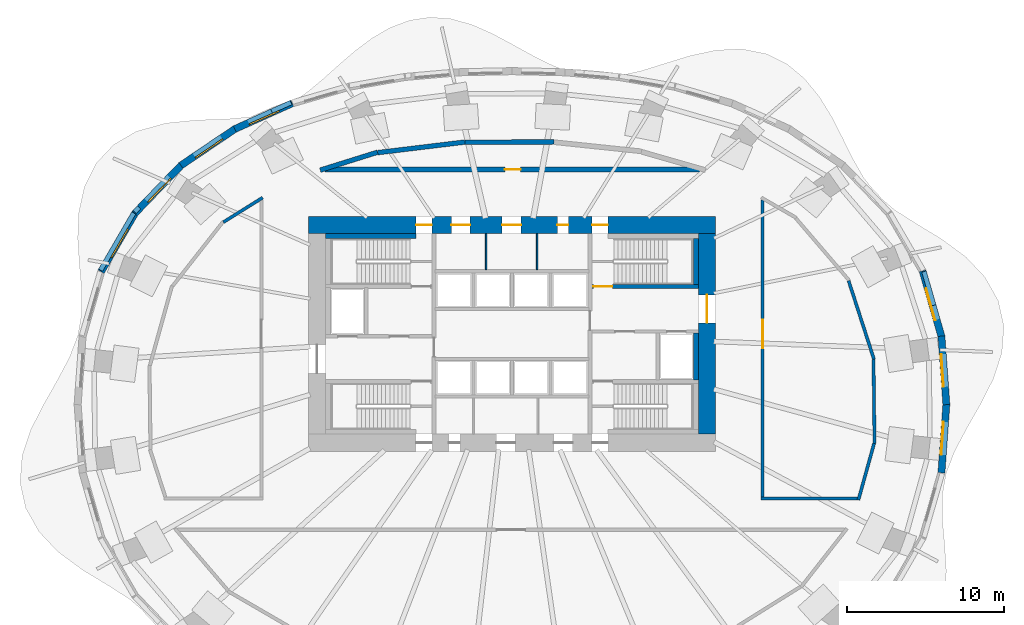
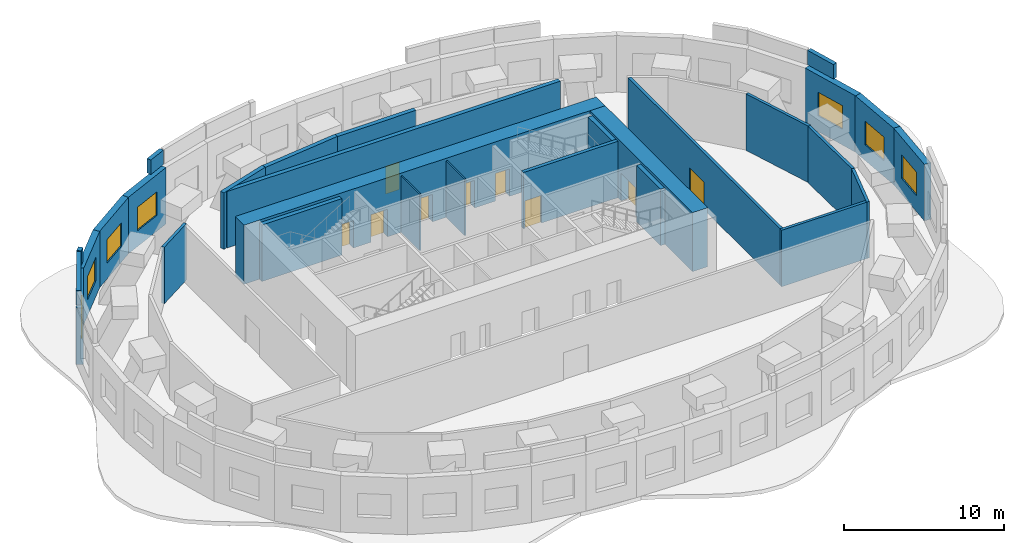
# One storey, part 6 of 9: 29 walls, 9 doors, 7 windows, 16 openings.
"""IFC4 building model written with IfcOpenShell, lengths in metres."""

from ifc_helpers import new_model, si_unit, direction, frame, frame_2d, origin, place, context, subcontext, project, spatial, rectangle, extrude, material, layer, layer_set, type_object, element, fill, save


model = new_model("IFC4")

# Units and contexts
model_context = context("Model", 3, precision=1e-05, world=origin(), true_north=direction((0.0, 1.0)))
body_context = subcontext(model_context, "Body", "Model", "MODEL_VIEW")
ifc_project = project(units=[si_unit("LENGTHUNIT", "METRE"), si_unit("AREAUNIT", "SQUARE_METRE"), si_unit("VOLUMEUNIT", "CUBIC_METRE"), si_unit("PLANEANGLEUNIT", "RADIAN"), si_unit("MASSUNIT", "GRAM", prefix="KILO")], contexts=[model_context])

# Site, building, storey
site_placement = place(None, origin())
site = spatial("IfcSite", under=ifc_project, at=site_placement, CompositionType="ELEMENT")
building_placement = place(site_placement, origin())
building = spatial("IfcBuilding", under=site, at=building_placement, Name="Rubra Terraces Tower", CompositionType="ELEMENT")
storey_placement = place(building_placement, frame((0.0, 0.0, 77.10009765625)))
storey = spatial("IfcBuildingStorey", under=building, at=storey_placement, Name="L17", CompositionType="ELEMENT", Elevation=77.10009765625)

# Wall, opening, window
ifc_material_1 = material(Name="Brick masonry red-brown", Category="masonry")
ifc_layer_1 = layer(ifc_material_1, 0.449951171875)
ifc_layer_set_1 = layer_set([ifc_layer_1], Name="Brick masonry red-brown")
wall_type_1 = type_object("IfcWallType", Name="Brick facade wall 450", PredefinedType="SOLIDWALL", material=ifc_layer_set_1)
wall_1_placement = place(storey_placement, frame((27.7255859375, -0.01611328125, 0.0), z_axis=(0.0, 0.0, 1.0), x_axis=(-0.071768934506, 0.997421285135, 0.0)))
wall_1 = element("IfcWall", 1, at=wall_1_placement, inside=storey, type_object=wall_type_1, Name="Facade wall L17 bay 1", PredefinedType="SOLIDWALL", context=body_context, shape_type="SweptSolid", body=[
    extrude(rectangle(XDim=4.38818359375, YDim=0.449951171875, at=frame_2d((2.194091796875, 0.0))), origin(), (0.0, 0.0, 1.0), 4.2998046875),
])
opening_1_placement = place(wall_1_placement, frame((1.144287109375, 0.0, 1.199951171875)))
opening_1 = element("IfcOpeningElement", 2, at=opening_1_placement, cuts=wall_1, Name="Opening W4", PredefinedType="OPENING", context=body_context, shape_type="SweptSolid", body=[
    extrude(rectangle(XDim=2.10009765625, YDim=1.800048828125, at=frame_2d((1.050048828125, 0.89990234375))), frame((0.0, 0.23486328125, 0.0), z_axis=(0.0, -1.0, 0.0), x_axis=(1.0, 0.0, 0.0)), (0.0, 0.0, 1.0), 0.469970703125),
])
ifc_material_2 = material(Name="Clear glass in aluminium frame", Category="aluminium")
window_type = type_object("IfcWindowType", Name="Louvred plant window 2100 x 1800", PartitioningType="SINGLE_PANEL", PredefinedType="WINDOW", material=ifc_material_2)
window_1_placement = place(opening_1_placement, origin())
window_1 = element("IfcWindow", 3, at=window_1_placement, inside=storey, type_object=window_type, Name="Window L17 bay 1", OverallHeight=1.800048828125, OverallWidth=2.10009765625, PartitioningType="SINGLE_PANEL", PredefinedType="WINDOW", context=body_context, shape_type="SweptSolid", body=[
    extrude(rectangle(XDim=2.10009765625, YDim=1.800048828125, at=frame_2d((1.050048828125, 0.89990234375))), frame((0.0, 0.135009765625, 0.0), z_axis=(0.0, -1.0, 0.0), x_axis=(1.0, 0.0, 0.0)), (0.0, 0.0, 1.0), 0.06005859375),
])
fill(opening_1, window_1)

wall_2_placement = place(storey_placement, frame((27.418701171875, 4.314697265625, 0.0), z_axis=(0.0, 0.0, 1.0), x_axis=(-0.276281679347, 0.961076705397, 0.0)))
wall_2 = element("IfcWall", 4, at=wall_2_placement, inside=storey, type_object=wall_type_1, Name="Facade wall L17 bay 2", PredefinedType="SOLIDWALL", context=body_context, shape_type="SweptSolid", body=[
    extrude(rectangle(XDim=4.37939453125, YDim=0.449951171875, at=frame_2d((2.189697265625, 0.0))), origin(), (0.0, 0.0, 1.0), 4.2998046875),
])
opening_2_placement = place(wall_2_placement, frame((1.1396484375, 0.0, 1.199951171875)))
opening_2 = element("IfcOpeningElement", 5, at=opening_2_placement, cuts=wall_2, Name="Opening W4", PredefinedType="OPENING", context=body_context, shape_type="SweptSolid", body=[
    extrude(rectangle(XDim=2.10009765625, YDim=1.800048828125, at=frame_2d((1.050048828125, 0.89990234375))), frame((0.0, 0.23486328125, 0.0), z_axis=(0.0, -1.0, 0.0), x_axis=(1.0, 0.0, 0.0)), (0.0, 0.0, 1.0), 0.469970703125),
])
window_2_placement = place(opening_2_placement, origin())
window_2 = element("IfcWindow", 6, at=window_2_placement, inside=storey, type_object=window_type, Name="Window L17 bay 2", OverallHeight=1.800048828125, OverallWidth=2.10009765625, PartitioningType="SINGLE_PANEL", PredefinedType="WINDOW", context=body_context, shape_type="SweptSolid", body=[
    extrude(rectangle(XDim=2.10009765625, YDim=1.800048828125, at=frame_2d((1.050048828125, 0.89990234375))), frame((0.0, 0.135009765625, 0.0), z_axis=(0.0, -1.0, 0.0), x_axis=(1.0, 0.0, 0.0)), (0.0, 0.0, 1.0), 0.06005859375),
])
fill(opening_2, window_2)

wall_3_placement = place(storey_placement, frame((-14.02392578125, 19.2236328125, 0.0), z_axis=(0.0, 0.0, 1.0), x_axis=(-0.912580432801, -0.408897240966, 0.0)))
wall_3 = element("IfcWall", 7, at=wall_3_placement, inside=storey, type_object=wall_type_1, Name="Facade wall L17 bay 15", PredefinedType="SOLIDWALL", context=body_context, shape_type="SweptSolid", body=[
    extrude(rectangle(XDim=4.020751953125, YDim=0.449951171875, at=frame_2d((2.01025390625, 0.0))), origin(), (0.0, 0.0, 1.0), 4.2998046875),
])
opening_3_placement = place(wall_3_placement, frame((0.960205078125, 0.0, 1.199951171875)))
opening_3 = element("IfcOpeningElement", 8, at=opening_3_placement, cuts=wall_3, Name="Opening W4", PredefinedType="OPENING", context=body_context, shape_type="SweptSolid", body=[
    extrude(rectangle(XDim=2.10009765625, YDim=1.800048828125, at=frame_2d((1.050048828125, 0.89990234375))), frame((0.0, 0.23486328125, 0.0), z_axis=(0.0, -1.0, 0.0), x_axis=(1.0, 0.0, 0.0)), (0.0, 0.0, 1.0), 0.469970703125),
])
window_3_placement = place(opening_3_placement, origin())
window_3 = element("IfcWindow", 9, at=window_3_placement, inside=storey, type_object=window_type, Name="Window L17 bay 15", OverallHeight=1.800048828125, OverallWidth=2.10009765625, PartitioningType="SINGLE_PANEL", PredefinedType="WINDOW", context=body_context, shape_type="SweptSolid", body=[
    extrude(rectangle(XDim=2.10009765625, YDim=1.800048828125, at=frame_2d((1.050048828125, 0.89990234375))), frame((0.0, 0.135009765625, 0.0), z_axis=(0.0, -1.0, 0.0), x_axis=(1.0, 0.0, 0.0)), (0.0, 0.0, 1.0), 0.06005859375),
])
fill(opening_3, window_3)

wall_4_placement = place(storey_placement, frame((-17.6591796875, 17.598388671875, 0.0), z_axis=(0.0, 0.0, 1.0), x_axis=(-0.829077786947, -0.559133278557, 0.0)))
wall_4 = element("IfcWall", 10, at=wall_4_placement, inside=storey, type_object=wall_type_1, Name="Facade wall L17 bay 16", PredefinedType="SOLIDWALL", context=body_context, shape_type="SweptSolid", body=[
    extrude(rectangle(XDim=4.1865234375, YDim=0.449951171875, at=frame_2d((2.09326171875, 0.0))), origin(), (0.0, 0.0, 1.0), 4.2998046875),
])
opening_4_placement = place(wall_4_placement, frame((1.043212890625, 0.0, 1.199951171875)))
opening_4 = element("IfcOpeningElement", 11, at=opening_4_placement, cuts=wall_4, Name="Opening W4", PredefinedType="OPENING", context=body_context, shape_type="SweptSolid", body=[
    extrude(rectangle(XDim=2.10009765625, YDim=1.800048828125, at=frame_2d((1.050048828125, 0.89990234375))), frame((0.0, 0.23486328125, 0.0), z_axis=(0.0, -1.0, 0.0), x_axis=(1.0, 0.0, 0.0)), (0.0, 0.0, 1.0), 0.469970703125),
])
window_4_placement = place(opening_4_placement, origin())
window_4 = element("IfcWindow", 12, at=window_4_placement, inside=storey, type_object=window_type, Name="Window L17 bay 16", OverallHeight=1.800048828125, OverallWidth=2.10009765625, PartitioningType="SINGLE_PANEL", PredefinedType="WINDOW", context=body_context, shape_type="SweptSolid", body=[
    extrude(rectangle(XDim=2.10009765625, YDim=1.800048828125, at=frame_2d((1.050048828125, 0.89990234375))), frame((0.0, 0.135009765625, 0.0), z_axis=(0.0, -1.0, 0.0), x_axis=(1.0, 0.0, 0.0)), (0.0, 0.0, 1.0), 0.06005859375),
])
fill(opening_4, window_4)

wall_5_placement = place(storey_placement, frame((-21.093994140625, 15.287841796875, 0.0), z_axis=(0.0, 0.0, 1.0), x_axis=(-0.69406513137, -0.719912212298, 0.0)))
wall_5 = element("IfcWall", 13, at=wall_5_placement, inside=storey, type_object=wall_type_1, Name="Facade wall L17 bay 17", PredefinedType="SOLIDWALL", context=body_context, shape_type="SweptSolid", body=[
    extrude(rectangle(XDim=4.2978515625, YDim=0.449951171875, at=frame_2d((2.14892578125, 0.0))), origin(), (0.0, 0.0, 1.0), 4.2998046875),
])
opening_5_placement = place(wall_5_placement, frame((1.098876953125, 0.0, 1.199951171875)))
opening_5 = element("IfcOpeningElement", 14, at=opening_5_placement, cuts=wall_5, Name="Opening W4", PredefinedType="OPENING", context=body_context, shape_type="SweptSolid", body=[
    extrude(rectangle(XDim=2.10009765625, YDim=1.800048828125, at=frame_2d((1.050048828125, 0.89990234375))), frame((0.0, 0.23486328125, 0.0), z_axis=(0.0, -1.0, 0.0), x_axis=(1.0, 0.0, 0.0)), (0.0, 0.0, 1.0), 0.469970703125),
])
window_5_placement = place(opening_5_placement, origin())
window_5 = element("IfcWindow", 15, at=window_5_placement, inside=storey, type_object=window_type, Name="Window L17 bay 17", OverallHeight=1.800048828125, OverallWidth=2.10009765625, PartitioningType="SINGLE_PANEL", PredefinedType="WINDOW", context=body_context, shape_type="SweptSolid", body=[
    extrude(rectangle(XDim=2.10009765625, YDim=1.800048828125, at=frame_2d((1.050048828125, 0.89990234375))), frame((0.0, 0.135009765625, 0.0), z_axis=(0.0, -1.0, 0.0), x_axis=(1.0, 0.0, 0.0)), (0.0, 0.0, 1.0), 0.06005859375),
])
fill(opening_5, window_5)

wall_6_placement = place(storey_placement, frame((-24.04443359375, 12.237060546875, 0.0), z_axis=(0.0, 0.0, 1.0), x_axis=(-0.502203169453, -0.864749661227, 0.0)))
wall_6 = element("IfcWall", 16, at=wall_6_placement, inside=storey, type_object=wall_type_1, Name="Facade wall L17 bay 18", PredefinedType="SOLIDWALL", context=body_context, shape_type="SweptSolid", body=[
    extrude(rectangle(XDim=4.352783203125, YDim=0.449951171875, at=frame_2d((2.17626953125, 0.0))), origin(), (0.0, 0.0, 1.0), 4.2998046875),
])
opening_6_placement = place(wall_6_placement, frame((1.12646484375, 0.0, 1.199951171875)))
opening_6 = element("IfcOpeningElement", 17, at=opening_6_placement, cuts=wall_6, Name="Opening W4", PredefinedType="OPENING", context=body_context, shape_type="SweptSolid", body=[
    extrude(rectangle(XDim=2.10009765625, YDim=1.800048828125, at=frame_2d((1.050048828125, 0.89990234375))), frame((0.0, 0.23486328125, 0.0), z_axis=(0.0, -1.0, 0.0), x_axis=(1.0, 0.0, 0.0)), (0.0, 0.0, 1.0), 0.469970703125),
])
window_6_placement = place(opening_6_placement, origin())
window_6 = element("IfcWindow", 18, at=window_6_placement, inside=storey, type_object=window_type, Name="Window L17 bay 18", OverallHeight=1.800048828125, OverallWidth=2.10009765625, PartitioningType="SINGLE_PANEL", PredefinedType="WINDOW", context=body_context, shape_type="SweptSolid", body=[
    extrude(rectangle(XDim=2.10009765625, YDim=1.800048828125, at=frame_2d((1.050048828125, 0.89990234375))), frame((0.0, 0.135009765625, 0.0), z_axis=(0.0, -1.0, 0.0), x_axis=(1.0, 0.0, 0.0)), (0.0, 0.0, 1.0), 0.06005859375),
])
fill(opening_6, window_6)

wall_7_placement = place(storey_placement, frame((27.41064453125, -4.36083984375, 0.0), z_axis=(0.0, 0.0, 1.0), x_axis=(0.071768934506, 0.997421285135, 0.0)))
wall_7 = element("IfcWall", 19, at=wall_7_placement, inside=storey, type_object=wall_type_1, Name="Facade wall L17 bay 40", PredefinedType="SOLIDWALL", context=body_context, shape_type="SweptSolid", body=[
    extrude(rectangle(XDim=4.38818359375, YDim=0.449951171875, at=frame_2d((2.194091796875, 0.0))), origin(), (0.0, 0.0, 1.0), 4.2998046875),
])
opening_7_placement = place(wall_7_placement, frame((1.144287109375, 0.0, 1.199951171875)))
opening_7 = element("IfcOpeningElement", 20, at=opening_7_placement, cuts=wall_7, Name="Opening W4", PredefinedType="OPENING", context=body_context, shape_type="SweptSolid", body=[
    extrude(rectangle(XDim=2.10009765625, YDim=1.800048828125, at=frame_2d((1.050048828125, 0.89990234375))), frame((0.0, 0.23486328125, 0.0), z_axis=(0.0, -1.0, 0.0), x_axis=(1.0, 0.0, 0.0)), (0.0, 0.0, 1.0), 0.469970703125),
])
window_7_placement = place(opening_7_placement, origin())
window_7 = element("IfcWindow", 21, at=window_7_placement, inside=storey, type_object=window_type, Name="Window L17 bay 40", OverallHeight=1.800048828125, OverallWidth=2.10009765625, PartitioningType="SINGLE_PANEL", PredefinedType="WINDOW", context=body_context, shape_type="SweptSolid", body=[
    extrude(rectangle(XDim=2.10009765625, YDim=1.800048828125, at=frame_2d((1.050048828125, 0.89990234375))), frame((0.0, 0.135009765625, 0.0), z_axis=(0.0, -1.0, 0.0), x_axis=(1.0, 0.0, 0.0)), (0.0, 0.0, 1.0), 0.06005859375),
])
fill(opening_7, window_7)

# Walls
ifc_layer_2 = layer(ifc_material_1, 0.300048828125)
ifc_layer_set_2 = layer_set([ifc_layer_2], Name="Brick masonry red-brown")
wall_type_2 = type_object("IfcWallType", Name="Brick parapet 300", PredefinedType="PARAPET", material=ifc_layer_set_2)
wall_8_placement = place(storey_placement, frame((26.918212890625, 6.327880859375, 4.5), z_axis=(0.0, 0.0, 1.0), x_axis=(-0.276376655945, 0.961049397299, 0.0)))
element("IfcWall", 22, at=wall_8_placement, inside=storey, type_object=wall_type_2, Name="Parapet L17 bay 2", PredefinedType="PARAPET", context=body_context, shape_type="SweptSolid", body=[
    extrude(rectangle(XDim=2.2392578125, YDim=0.300048828125, at=frame_2d((1.11962890625, 0.0))), origin(), (0.0, 0.0, 1.0), 1.099853515625),
])
wall_9_placement = place(storey_placement, frame((-14.100830078125, 19.271484375, 4.5), z_axis=(0.0, 0.0, 1.0), x_axis=(-0.912553319429, -0.408957747449, 0.0)))
element("IfcWall", 23, at=wall_9_placement, inside=storey, type_object=wall_type_2, Name="Parapet L17 bay 15", PredefinedType="PARAPET", context=body_context, shape_type="SweptSolid", body=[
    extrude(rectangle(XDim=1.35693359375, YDim=0.300048828125, at=frame_2d((0.678466796875, 0.0))), origin(), (0.0, 0.0, 1.0), 1.099853515625),
])
wall_10_placement = place(storey_placement, frame((-23.80419921875, 12.5849609375, 4.5), z_axis=(0.0, 0.0, 1.0), x_axis=(-0.694012708719, -0.719962749132, 0.0)))
element("IfcWall", 24, at=wall_10_placement, inside=storey, type_object=wall_type_2, Name="Parapet L17 bay 17", PredefinedType="PARAPET", context=body_context, shape_type="SweptSolid", body=[
    extrude(rectangle(XDim=0.404541015625, YDim=0.300048828125, at=frame_2d((0.2021484375, 0.0))), origin(), (0.0, 0.0, 1.0), 1.099853515625),
])
wall_11_placement = place(storey_placement, frame((-24.142578125, 12.21728515625, 4.5), z_axis=(0.0, 0.0, 1.0), x_axis=(-0.502258354831, -0.864717609976, 0.0)))
element("IfcWall", 25, at=wall_11_placement, inside=storey, type_object=wall_type_2, Name="Parapet L17 bay 18", PredefinedType="PARAPET", context=body_context, shape_type="SweptSolid", body=[
    extrude(rectangle(XDim=4.21923828125, YDim=0.300048828125, at=frame_2d((2.109619140625, 0.0))), origin(), (0.0, 0.0, 1.0), 1.099853515625),
])

# Wall, openings, doors
ifc_material_3 = material(Name="Concrete C60", Category="concrete")
ifc_layer_3 = layer(ifc_material_3, 1.10009765625)
ifc_layer_set_3 = layer_set([ifc_layer_3], Name="Concrete C60")
wall_type_3 = type_object("IfcWallType", Name="CORE WALL 1100 C60", PredefinedType="SHEAR", material=ifc_layer_set_3)
wall_12_placement = place(storey_placement, frame((-13.0, 11.449951171875, 0.0), z_axis=(0.0, 0.0, 1.0), x_axis=(1.0, 0.0, 0.0)))
wall_12 = element("IfcWall", 26, at=wall_12_placement, inside=storey, type_object=wall_type_3, Name="CORE WALL N L17", PredefinedType="SHEAR", context=body_context, shape_type="SweptSolid", body=[
    extrude(rectangle(XDim=26.0, YDim=1.10009765625, at=frame_2d((13.0, 0.0))), origin(), (0.0, 0.0, 1.0), 4.5),
])
opening_8_placement = place(wall_12_placement, frame((9.125, 0.0, 0.0)))
opening_8 = element("IfcOpeningElement", 27, at=opening_8_placement, cuts=wall_12, Name="Opening L17.C16", PredefinedType="OPENING", context=body_context, shape_type="SweptSolid", body=[
    extrude(rectangle(XDim=1.199951171875, YDim=2.10009765625, at=frame_2d((0.60009765625, 1.050048828125))), frame((0.0, 0.56005859375, 0.0), z_axis=(0.0, -1.0, 0.0), x_axis=(1.0, 0.0, 0.0)), (0.0, 0.0, 1.0), 1.1201171875),
])
opening_9_placement = place(wall_12_placement, frame((12.375, 0.0, 0.0)))
opening_9 = element("IfcOpeningElement", 28, at=opening_9_placement, cuts=wall_12, Name="Opening L17.C17", PredefinedType="OPENING", context=body_context, shape_type="SweptSolid", body=[
    extrude(rectangle(XDim=1.199951171875, YDim=2.10009765625, at=frame_2d((0.60009765625, 1.050048828125))), frame((0.0, 0.56005859375, 0.0), z_axis=(0.0, -1.0, 0.0), x_axis=(1.0, 0.0, 0.0)), (0.0, 0.0, 1.0), 1.1201171875),
])
opening_10_placement = place(wall_12_placement, frame((15.89990234375, 0.0, 0.0)))
opening_10 = element("IfcOpeningElement", 29, at=opening_10_placement, cuts=wall_12, Name="Opening L17.C18", PredefinedType="OPENING", context=body_context, shape_type="SweptSolid", body=[
    extrude(rectangle(XDim=0.699951171875, YDim=2.10009765625, at=frame_2d((0.35009765625, 1.050048828125))), frame((0.0, 0.56005859375, 0.0), z_axis=(0.0, -1.0, 0.0), x_axis=(1.0, 0.0, 0.0)), (0.0, 0.0, 1.0), 1.1201171875),
])
opening_11_placement = place(wall_12_placement, frame((6.8798828125, 0.0, 0.0)))
opening_11 = element("IfcOpeningElement", 30, at=opening_11_placement, cuts=wall_12, Name="Opening L17.C20", PredefinedType="OPENING", context=body_context, shape_type="SweptSolid", body=[
    extrude(rectangle(XDim=1.0, YDim=2.10009765625, at=frame_2d((0.5, 1.050048828125))), frame((0.0, 0.56005859375, 0.0), z_axis=(0.0, -1.0, 0.0), x_axis=(1.0, 0.0, 0.0)), (0.0, 0.0, 1.0), 1.1201171875),
])
opening_12_placement = place(wall_12_placement, frame((18.1201171875, 0.0, 0.0)))
opening_12 = element("IfcOpeningElement", 31, at=opening_12_placement, cuts=wall_12, Name="Opening L17.C21", PredefinedType="OPENING", context=body_context, shape_type="SweptSolid", body=[
    extrude(rectangle(XDim=1.0, YDim=2.10009765625, at=frame_2d((0.5, 1.050048828125))), frame((0.0, 0.56005859375, 0.0), z_axis=(0.0, -1.0, 0.0), x_axis=(1.0, 0.0, 0.0)), (0.0, 0.0, 1.0), 1.1201171875),
])
ifc_material_4 = material(Name="Painted steel", Category="steel")
door_type_1 = type_object("IfcDoorType", Name="Fire door 1000x2100 single", OperationType="NOTDEFINED", PredefinedType="DOOR", material=ifc_material_4)
door_1_placement = place(opening_11_placement, origin())
door_1 = element("IfcDoor", 32, at=door_1_placement, inside=storey, type_object=door_type_1, Name="Stair S2 refuge door", OperationType="SINGLE_SWING_RIGHT", OverallHeight=2.10009765625, OverallWidth=1.0, PredefinedType="DOOR", context=body_context, shape_type="SweptSolid", body=[
    extrude(rectangle(XDim=1.0, YDim=2.10009765625, at=frame_2d((0.5, 1.050048828125))), frame((0.0, 0.02490234375, 0.0), z_axis=(0.0, -1.0, 0.0), x_axis=(1.0, 0.0, 0.0)), (0.0, 0.0, 1.0), 0.050048828125),
])
fill(opening_11, door_1)
door_2_placement = place(opening_12_placement, origin())
door_2 = element("IfcDoor", 33, at=door_2_placement, inside=storey, type_object=door_type_1, Name="Stair S3 refuge door", OperationType="SINGLE_SWING_LEFT", OverallHeight=2.10009765625, OverallWidth=1.0, PredefinedType="DOOR", context=body_context, shape_type="SweptSolid", body=[
    extrude(rectangle(XDim=1.0, YDim=2.10009765625, at=frame_2d((0.5, 1.050048828125))), frame((0.0, 0.02490234375, 0.0), z_axis=(0.0, -1.0, 0.0), x_axis=(1.0, 0.0, 0.0)), (0.0, 0.0, 1.0), 0.050048828125),
])
fill(opening_12, door_2)
door_type_2 = type_object("IfcDoorType", Name="Fire door 1200x2100 single", OperationType="NOTDEFINED", PredefinedType="DOOR", material=ifc_material_4)
door_3_placement = place(opening_8_placement, origin())
door_3 = element("IfcDoor", 34, at=door_3_placement, inside=storey, type_object=door_type_2, Name="Air handling plant room door", OperationType="SINGLE_SWING_RIGHT", OverallHeight=2.10009765625, OverallWidth=1.199951171875, PredefinedType="DOOR", context=body_context, shape_type="SweptSolid", body=[
    extrude(rectangle(XDim=1.199951171875, YDim=2.10009765625, at=frame_2d((0.60009765625, 1.050048828125))), frame((0.0, 0.02490234375, 0.0), z_axis=(0.0, -1.0, 0.0), x_axis=(1.0, 0.0, 0.0)), (0.0, 0.0, 1.0), 0.050048828125),
])
fill(opening_8, door_3)
door_4_placement = place(opening_9_placement, origin())
door_4 = element("IfcDoor", 35, at=door_4_placement, inside=storey, type_object=door_type_2, Name="Air handling plant room door", OperationType="SINGLE_SWING_LEFT", OverallHeight=2.10009765625, OverallWidth=1.199951171875, PredefinedType="DOOR", context=body_context, shape_type="SweptSolid", body=[
    extrude(rectangle(XDim=1.199951171875, YDim=2.10009765625, at=frame_2d((0.60009765625, 1.050048828125))), frame((0.0, 0.02490234375, 0.0), z_axis=(0.0, -1.0, 0.0), x_axis=(1.0, 0.0, 0.0)), (0.0, 0.0, 1.0), 0.050048828125),
])
fill(opening_9, door_4)
door_type_3 = type_object("IfcDoorType", Name="Riser access door 700x2100 single", OperationType="NOTDEFINED", PredefinedType="DOOR", material=ifc_material_4)
door_5_placement = place(opening_10_placement, origin())
door_5 = element("IfcDoor", 36, at=door_5_placement, inside=storey, type_object=door_type_3, Name="M&E riser room door", OperationType="SINGLE_SWING_RIGHT", OverallHeight=2.10009765625, OverallWidth=0.699951171875, PredefinedType="DOOR", context=body_context, shape_type="SweptSolid", body=[
    extrude(rectangle(XDim=0.699951171875, YDim=2.10009765625, at=frame_2d((0.35009765625, 1.050048828125))), frame((0.0, 0.02490234375, 0.0), z_axis=(0.0, -1.0, 0.0), x_axis=(1.0, 0.0, 0.0)), (0.0, 0.0, 1.0), 0.050048828125),
])
fill(opening_10, door_5)

# Wall, opening, door
wall_13_placement = place(storey_placement, frame((12.449951171875, -1.89990234375, 0.0), z_axis=(0.0, 0.0, 1.0), x_axis=(0.0, 1.0, 0.0)))
wall_13 = element("IfcWall", 37, at=wall_13_placement, inside=storey, type_object=wall_type_3, Name="CORE WALL E L17", PredefinedType="SHEAR", context=body_context, shape_type="SweptSolid", body=[
    extrude(rectangle(XDim=12.7998046875, YDim=1.10009765625, at=frame_2d((6.39990234375, 0.0))), origin(), (0.0, 0.0, 1.0), 4.5),
])
opening_13_placement = place(wall_13_placement, frame((7.10009765625, 0.0, 0.0)))
opening_13 = element("IfcOpeningElement", 38, at=opening_13_placement, cuts=wall_13, Name="Opening L17.C02", PredefinedType="OPENING", context=body_context, shape_type="SweptSolid", body=[
    extrude(rectangle(XDim=1.800048828125, YDim=2.10009765625, at=frame_2d((0.89990234375, 1.050048828125))), frame((0.0, 0.56005859375, 0.0), z_axis=(0.0, -1.0, 0.0), x_axis=(1.0, 0.0, 0.0)), (0.0, 0.0, 1.0), 1.1201171875),
])
door_type_4 = type_object("IfcDoorType", Name="Fire door 1800x2100 double", OperationType="NOTDEFINED", PredefinedType="DOOR", material=ifc_material_4)
door_6_placement = place(opening_13_placement, origin())
door_6 = element("IfcDoor", 39, at=door_6_placement, inside=storey, type_object=door_type_4, Name="Core entrance door FF2", OperationType="DOUBLE_DOOR_SINGLE_SWING", OverallHeight=2.10009765625, OverallWidth=1.800048828125, PredefinedType="DOOR", context=body_context, shape_type="SweptSolid", body=[
    extrude(rectangle(XDim=1.800048828125, YDim=2.10009765625, at=frame_2d((0.89990234375, 1.050048828125))), frame((0.0, 0.02490234375, 0.0), z_axis=(0.0, -1.0, 0.0), x_axis=(1.0, 0.0, 0.0)), (0.0, 0.0, 1.0), 0.050048828125),
])
fill(opening_13, door_6)

# Walls
ifc_material_5 = material(Name="Concrete C40", Category="concrete")
ifc_layer_4 = layer(ifc_material_5, 0.300048828125)
ifc_layer_set_4 = layer_set([ifc_layer_4], Name="Concrete C40")
wall_type_4 = type_object("IfcWallType", Name="Core lining wall 300 concrete", PredefinedType="SOLIDWALL", material=ifc_layer_set_4)
wall_14_placement = place(storey_placement, frame((-11.89990234375, 10.75, 0.0), z_axis=(0.0, 0.0, 1.0), x_axis=(1.0, 0.0, 0.0)))
element("IfcWall", 40, at=wall_14_placement, inside=storey, type_object=wall_type_4, Name="CORE LINING WALL L17", PredefinedType="SOLIDWALL", context=body_context, shape_type="SweptSolid", body=[
    extrude(rectangle(XDim=5.77978515625, YDim=0.300048828125, at=frame_2d((2.889892578125, 0.0))), origin(), (0.0, 0.0, 1.0), 4.2998046875),
])
wall_15_placement = place(storey_placement, frame((11.75, 10.60009765625, 0.0), z_axis=(0.0, 0.0, 1.0), x_axis=(0.0, -1.0, 0.0)))
element("IfcWall", 41, at=wall_15_placement, inside=storey, type_object=wall_type_4, Name="CORE LINING WALL L17", PredefinedType="SOLIDWALL", context=body_context, shape_type="SweptSolid", body=[
    extrude(rectangle(XDim=2.9501953125, YDim=0.300048828125, at=frame_2d((1.47509765625, 0.0))), origin(), (0.0, 0.0, 1.0), 4.2998046875),
])
wall_16_placement = place(storey_placement, frame((11.75, 4.550048828125, 0.0), z_axis=(0.0, 0.0, 1.0), x_axis=(0.0, -1.0, 0.0)))
element("IfcWall", 42, at=wall_16_placement, inside=storey, type_object=wall_type_4, Name="CORE LINING WALL L17", PredefinedType="SOLIDWALL", context=body_context, shape_type="SweptSolid", body=[
    extrude(rectangle(XDim=3.0, YDim=0.300048828125, at=frame_2d((1.5, 0.0))), origin(), (0.0, 0.0, 1.0), 4.2998046875),
])
ifc_material_6 = material(Name="Blockwork", Category="masonry")
ifc_layer_5 = layer(ifc_material_6, 0.199951171875)
ifc_layer_set_5 = layer_set([ifc_layer_5], Name="Blockwork")
wall_type_5 = type_object("IfcWallType", Name="Corridor partition 200 blockwork", PredefinedType="PARTITIONING", material=ifc_layer_set_5)
wall_17_placement = place(storey_placement, frame((-18.422119140625, 11.635009765625, 0.0), z_axis=(0.0, 0.0, 1.0), x_axis=(0.848299824463, 0.529516201656, 0.0)))
element("IfcWall", 43, at=wall_17_placement, inside=storey, type_object=wall_type_5, Name="Partition wall", PredefinedType="PARTITIONING", context=body_context, shape_type="SweptSolid", body=[
    extrude(rectangle(XDim=2.955322265625, YDim=0.199951171875, at=frame_2d((1.4775390625, 0.0))), origin(), (0.0, 0.0, 1.0), 4.2998046875),
])
wall_18_placement = place(storey_placement, frame((21.486083984375, 7.89501953125, 0.0), z_axis=(0.0, 0.0, 1.0), x_axis=(0.307481575482, -0.951554034587, 0.0)))
element("IfcWall", 44, at=wall_18_placement, inside=storey, type_object=wall_type_5, Name="Partition wall", PredefinedType="PARTITIONING", context=body_context, shape_type="SweptSolid", body=[
    extrude(rectangle(XDim=5.2587890625, YDim=0.199951171875, at=frame_2d((2.62939453125, 0.0))), origin(), (0.0, 0.0, 1.0), 4.2998046875),
])
wall_19_placement = place(storey_placement, frame((23.072998046875, 2.885986328125, 0.0), z_axis=(0.0, 0.0, 1.0), x_axis=(0.012666982201, -0.999919770563, 0.0)))
element("IfcWall", 45, at=wall_19_placement, inside=storey, type_object=wall_type_5, Name="Partition wall", PredefinedType="PARTITIONING", context=body_context, shape_type="SweptSolid", body=[
    extrude(rectangle(XDim=5.37744140625, YDim=0.199951171875, at=frame_2d((2.688720703125, 0.0))), origin(), (0.0, 0.0, 1.0), 4.2998046875),
])
wall_20_placement = place(storey_placement, frame((23.113037109375, -2.487060546875, 0.0), z_axis=(0.0, 0.0, 1.0), x_axis=(-0.2675161078, -0.963553388281, 0.0)))
element("IfcWall", 46, at=wall_20_placement, inside=storey, type_object=wall_type_5, Name="Partition wall", PredefinedType="PARTITIONING", context=body_context, shape_type="SweptSolid", body=[
    extrude(rectangle(XDim=3.745361328125, YDim=0.199951171875, at=frame_2d((1.87255859375, 0.0))), origin(), (0.0, 0.0, 1.0), 4.2998046875),
])
wall_21_placement = place(storey_placement, frame((22.0380859375, -6.0, 0.0), z_axis=(0.0, 0.0, 1.0), x_axis=(-1.0, 0.0, 0.0)))
element("IfcWall", 47, at=wall_21_placement, inside=storey, type_object=wall_type_5, Name="Partition wall", PredefinedType="PARTITIONING", context=body_context, shape_type="SweptSolid", body=[
    extrude(rectangle(XDim=6.13818359375, YDim=0.199951171875, at=frame_2d((3.069091796875, 0.0))), origin(), (0.0, 0.0, 1.0), 4.2998046875),
])

# Wall, opening, door
wall_22_placement = place(storey_placement, frame((16.0, -5.89990234375, 0.0), z_axis=(0.0, 0.0, 1.0), x_axis=(0.0, 1.0, 0.0)))
wall_22 = element("IfcWall", 48, at=wall_22_placement, inside=storey, type_object=wall_type_5, Name="Partition wall", PredefinedType="PARTITIONING", context=body_context, shape_type="SweptSolid", body=[
    extrude(rectangle(XDim=18.951904296875, YDim=0.199951171875, at=frame_2d((9.47607421875, 0.0))), origin(), (0.0, 0.0, 1.0), 4.2998046875),
])
opening_14_placement = place(wall_22_placement, frame((9.5, 0.0, 0.0)))
opening_14 = element("IfcOpeningElement", 49, at=opening_14_placement, cuts=wall_22, Name="Opening DB3", PredefinedType="OPENING", context=body_context, shape_type="SweptSolid", body=[
    extrude(rectangle(XDim=1.800048828125, YDim=2.10009765625, at=frame_2d((0.89990234375, 1.050048828125))), frame((0.0, 0.10986328125, 0.0), z_axis=(0.0, -1.0, 0.0), x_axis=(1.0, 0.0, 0.0)), (0.0, 0.0, 1.0), 0.219970703125),
])
door_type_5 = type_object("IfcDoorType", Name="Door 1800x2100 double", OperationType="NOTDEFINED", PredefinedType="DOOR", material=ifc_material_4)
door_7_placement = place(opening_14_placement, origin())
door_7 = element("IfcDoor", 50, at=door_7_placement, inside=storey, type_object=door_type_5, Name="Refuge area door L17-03", OperationType="DOUBLE_DOOR_SINGLE_SWING", OverallHeight=2.10009765625, OverallWidth=1.800048828125, PredefinedType="DOOR", context=body_context, shape_type="SweptSolid", body=[
    extrude(rectangle(XDim=1.800048828125, YDim=2.10009765625, at=frame_2d((0.89990234375, 1.050048828125))), frame((0.0, 0.02490234375, 0.0), z_axis=(0.0, -1.0, 0.0), x_axis=(1.0, 0.0, 0.0)), (0.0, 0.0, 1.0), 0.050048828125),
])
fill(opening_14, door_7)

# Walls
ifc_layer_6 = layer(ifc_material_6, 0.300048828125)
ifc_layer_set_6 = layer_set([ifc_layer_6], Name="Blockwork")
wall_type_6 = type_object("IfcWallType", Name="Plant wall 300 blockwork", PredefinedType="SOLIDWALL", material=ifc_layer_set_6)
wall_23_placement = place(storey_placement, frame((-12.240966796875, 14.955078125, 0.0), z_axis=(0.0, 0.0, 1.0), x_axis=(0.954433506531, 0.29842366128, 0.0)))
element("IfcWall", 51, at=wall_23_placement, inside=storey, type_object=wall_type_6, Name="Plant room wall", PredefinedType="SOLIDWALL", context=body_context, shape_type="SweptSolid", body=[
    extrude(rectangle(XDim=3.833740234375, YDim=0.300048828125, at=frame_2d((1.9169921875, 0.0))), origin(), (0.0, 0.0, 1.0), 4.2998046875),
])
wall_24_placement = place(storey_placement, frame((-8.575927734375, 16.072021484375, 0.0), z_axis=(0.0, 0.0, 1.0), x_axis=(0.992720392358, 0.120441780942, 0.0)))
element("IfcWall", 52, at=wall_24_placement, inside=storey, type_object=wall_type_6, Name="Plant room wall", PredefinedType="SOLIDWALL", context=body_context, shape_type="SweptSolid", body=[
    extrude(rectangle(XDim=5.61279296875, YDim=0.300048828125, at=frame_2d((2.806396484375, 0.0))), origin(), (0.0, 0.0, 1.0), 4.2998046875),
])
wall_25_placement = place(storey_placement, frame((-3.0029296875, 16.73095703125, 0.0), z_axis=(0.0, 0.0, 1.0), x_axis=(0.999987762334, 0.004947239951, 0.0)))
element("IfcWall", 53, at=wall_25_placement, inside=storey, type_object=wall_type_6, Name="Plant room wall", PredefinedType="SOLIDWALL", context=body_context, shape_type="SweptSolid", body=[
    extrude(rectangle(XDim=5.675048828125, YDim=0.300048828125, at=frame_2d((2.83740234375, 0.0))), origin(), (0.0, 0.0, 1.0), 4.2998046875),
])

# Wall, opening, door
wall_26_placement = place(storey_placement, frame((12.050048828125, 15.0, 0.0), z_axis=(0.0, 0.0, 1.0), x_axis=(-1.0, 0.0, 0.0)))
wall_26 = element("IfcWall", 54, at=wall_26_placement, inside=storey, type_object=wall_type_6, Name="Plant room wall", PredefinedType="SOLIDWALL", context=body_context, shape_type="SweptSolid", body=[
    extrude(rectangle(XDim=23.998046875, YDim=0.300048828125, at=frame_2d((11.9990234375, 0.0))), origin(), (0.0, 0.0, 1.0), 4.2998046875),
])
opening_15_placement = place(wall_26_placement, frame((11.4990234375, 0.0, 0.0)))
opening_15 = element("IfcOpeningElement", 55, at=opening_15_placement, cuts=wall_26, Name="Opening DB1", PredefinedType="OPENING", context=body_context, shape_type="SweptSolid", body=[
    extrude(rectangle(XDim=1.0, YDim=2.10009765625, at=frame_2d((0.5, 1.050048828125))), frame((0.0, 0.159912109375, 0.0), z_axis=(0.0, -1.0, 0.0), x_axis=(1.0, 0.0, 0.0)), (0.0, 0.0, 1.0), 0.320068359375),
])
ifc_material_7 = material(Name="Painted timber", Category="wood")
door_type_6 = type_object("IfcDoorType", Name="Door 1000x2100 single", OperationType="NOTDEFINED", PredefinedType="DOOR", material=ifc_material_7)
door_8_placement = place(opening_15_placement, origin())
door_8 = element("IfcDoor", 56, at=door_8_placement, inside=storey, type_object=door_type_6, Name="Plant room door L17-04", OperationType="SINGLE_SWING_LEFT", OverallHeight=2.10009765625, OverallWidth=1.0, PredefinedType="DOOR", context=body_context, shape_type="SweptSolid", body=[
    extrude(rectangle(XDim=1.0, YDim=2.10009765625, at=frame_2d((0.5, 1.050048828125))), frame((0.0, 0.02490234375, 0.0), z_axis=(0.0, -1.0, 0.0), x_axis=(1.0, 0.0, 0.0)), (0.0, 0.0, 1.0), 0.050048828125),
])
fill(opening_15, door_8)

# Walls
ifc_layer_7 = layer(ifc_material_6, 0.10009765625)
ifc_layer_set_7 = layer_set([ifc_layer_7], Name="Blockwork")
wall_type_7 = type_object("IfcWallType", Name="Service partition 100 blockwork", PredefinedType="PARTITIONING", material=ifc_layer_set_7)
for number, where, z_axis, x_axis, name in (
    (57, (-1.64990234375, 8.60009765625, 0.0), (0.0, 0.0, 1.0), (0.0, 1.0, 0.0), "SERVICE ROOM PARTITION L17"),
    (58, (1.60009765625, 8.60009765625, 0.0), (0.0, 0.0, 1.0), (0.0, 1.0, 0.0), "SERVICE ROOM PARTITION L17"),
):
    element("IfcWall", number, at=place(storey_placement, frame(where, z_axis=z_axis, x_axis=x_axis)), inside=storey, type_object=wall_type_7, Name=name, PredefinedType="PARTITIONING", context=body_context, shape_type="SweptSolid", body=[
        extrude(rectangle(XDim=2.2998046875, YDim=0.10009765625, at=frame_2d((1.14990234375, 0.0))), origin(), (0.0, 0.0, 1.0), 4.2998046875),
    ])

# Wall, opening, door
ifc_layer_8 = layer(ifc_material_5, 0.25)
ifc_layer_set_8 = layer_set([ifc_layer_8], Name="Concrete C40")
wall_type_8 = type_object("IfcWallType", Name="Stair enclosure wall 250 concrete", PredefinedType="SOLIDWALL", material=ifc_layer_set_8)
wall_27_placement = place(storey_placement, frame((11.89990234375, 7.52490234375, 0.0), z_axis=(0.0, 0.0, 1.0), x_axis=(-1.0, 0.0, 0.0)))
wall_27 = element("IfcWall", 59, at=wall_27_placement, inside=storey, type_object=wall_type_8, Name="STAIR WALL L17", PredefinedType="SOLIDWALL", context=body_context, shape_type="SweptSolid", body=[
    extrude(rectangle(XDim=6.7998046875, YDim=0.25, at=frame_2d((3.39990234375, 0.0))), origin(), (0.0, 0.0, 1.0), 4.2998046875),
])
opening_16_placement = place(wall_27_placement, frame((5.5, 0.0, 0.0)))
opening_16 = element("IfcOpeningElement", 60, at=opening_16_placement, cuts=wall_27, Name="Opening L17.C08", PredefinedType="OPENING", context=body_context, shape_type="SweptSolid", body=[
    extrude(rectangle(XDim=1.199951171875, YDim=2.10009765625, at=frame_2d((0.60009765625, 1.050048828125))), frame((0.0, 0.135009765625, 0.0), z_axis=(0.0, -1.0, 0.0), x_axis=(1.0, 0.0, 0.0)), (0.0, 0.0, 1.0), 0.27001953125),
])
door_9_placement = place(opening_16_placement, origin())
door_9 = element("IfcDoor", 61, at=door_9_placement, inside=storey, type_object=door_type_2, Name="Stair door S3", OperationType="SINGLE_SWING_RIGHT", OverallHeight=2.10009765625, OverallWidth=1.199951171875, PredefinedType="DOOR", context=body_context, shape_type="SweptSolid", body=[
    extrude(rectangle(XDim=1.199951171875, YDim=2.10009765625, at=frame_2d((0.60009765625, 1.050048828125))), frame((0.0, 0.02490234375, 0.0), z_axis=(0.0, -1.0, 0.0), x_axis=(1.0, 0.0, 0.0)), (0.0, 0.0, 1.0), 0.050048828125),
])
fill(opening_16, door_9)

save(model, "model.ifc")
